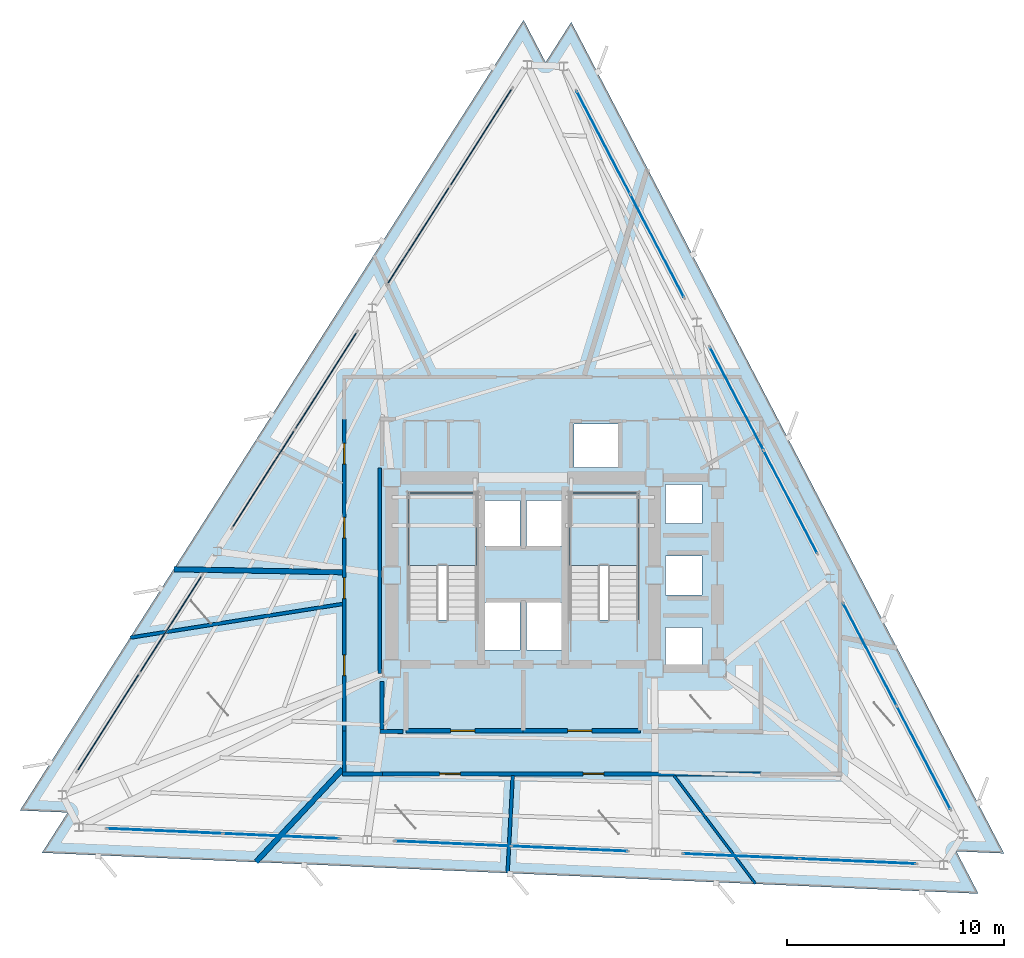
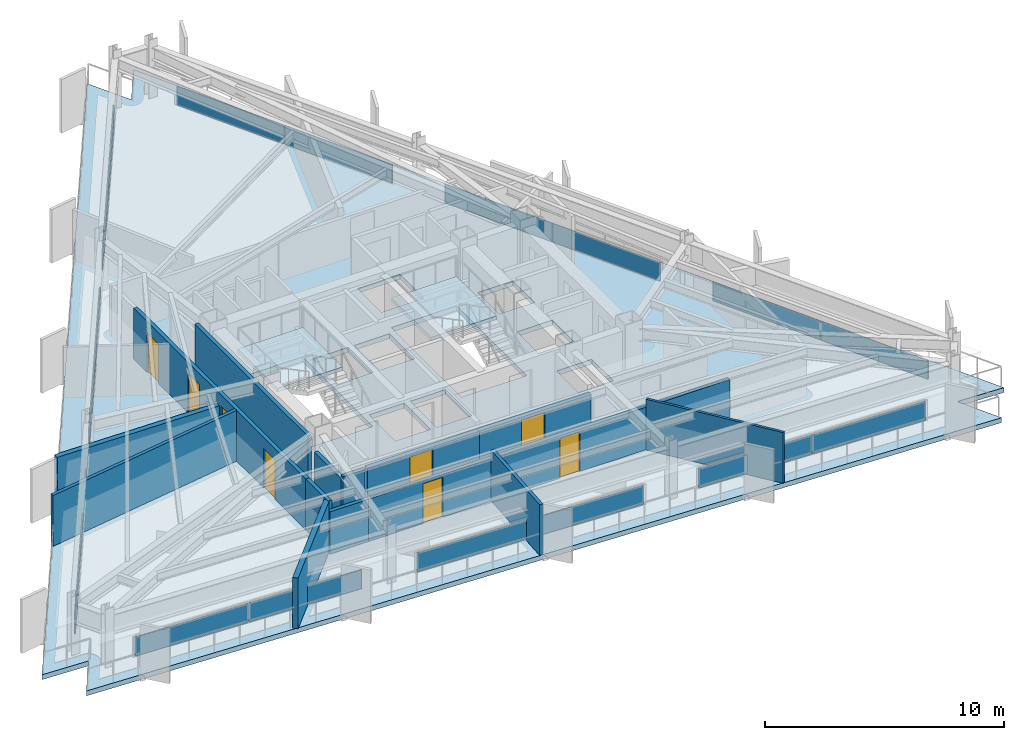
# One storey, part 7 of 12: 18 plates, 14 walls, 8 doors, 3 slabs, 8 openings, 11 elements without a shape of their own.
"""IFC4 building model written with IfcOpenShell, lengths in metres."""

from ifc_helpers import new_model, si_unit, direction, frame, frame_2d, origin, origin_2d, place, context, subcontext, project, spatial, polyline, rectangle, outline, extrude, material, layer, layer_set, type_object, element, fill, aggregate, save


model = new_model("IFC4")

# Units and contexts
model_context = context("Model", 3, precision=1e-05, world=origin(), true_north=direction((0.0, 1.0)))
body_context = subcontext(model_context, "Body", "Model", "MODEL_VIEW")
ifc_project = project(units=[si_unit("LENGTHUNIT", "METRE"), si_unit("AREAUNIT", "SQUARE_METRE"), si_unit("VOLUMEUNIT", "CUBIC_METRE"), si_unit("PLANEANGLEUNIT", "RADIAN"), si_unit("MASSUNIT", "GRAM", prefix="KILO")], contexts=[model_context])

# Site, building, storey
site_placement = place(None, origin())
site = spatial("IfcSite", under=ifc_project, at=site_placement, CompositionType="ELEMENT")
building_placement = place(site_placement, origin())
building = spatial("IfcBuilding", under=site, at=building_placement, Name="Rocaltana Carrier Exchange", CompositionType="ELEMENT")
storey_placement = place(building_placement, frame((0.0, 0.0, 144.159912109375)))
storey = spatial("IfcBuildingStorey", under=building, at=storey_placement, Name="L45", CompositionType="ELEMENT", Elevation=144.159912109375)

# Curtain wall, plates
ifc_material_1 = material(Name="Aluminium 6063-T6", Category="aluminium")
ifc_layer_1 = layer(ifc_material_1, 0.14990234375)
ifc_layer_set_1 = layer_set([ifc_layer_1], Name="Aluminium 6063-T6")
curtain_wall_type = type_object("IfcCurtainWallType", Name="Mid-Tower Unitised Curtain Wall CW-03", PredefinedType="NOTDEFINED", material=ifc_layer_set_1)
curtain_wall_1_placement = place(storey_placement, origin())
curtain_wall_1 = element("IfcCurtainWall", 1, at=curtain_wall_1_placement, inside=storey, type_object=curtain_wall_type, Name="L45 CW-03 Run CW-L45-F1S1", PredefinedType="NOTDEFINED")
ifc_material_2 = material(Name="Tempered Laminated Glass", Category="glass")
ifc_layer_2 = layer(ifc_material_2, 0.0400390625)
ifc_layer_set_2 = layer_set([ifc_layer_2], Name="Tempered Laminated Glass")
plate_type = type_object("IfcPlateType", Name="CW-03 Stone-Insulated Vision Panel", PredefinedType="CURTAIN_PANEL", material=ifc_layer_set_2)
plate_1_placement = place(storey_placement, frame((18.460693359375, -8.4111328125, 0.06005859375), z_axis=(0.0, 0.0, 1.0), x_axis=(-0.461750348962, 0.887009929614, 0.0)))
plate_1 = element("IfcPlate", 2, at=plate_1_placement, type_object=plate_type, Name="CW-03 panel 1.1", PredefinedType="CURTAIN_PANEL", context=body_context, shape_type="SweptSolid", body=[
    extrude(rectangle(XDim=5.31005859375, YDim=0.0400390625, at=origin_2d()), origin(), (0.0, 0.0, 1.0), 0.9580078125),
])
plate_2_placement = place(storey_placement, frame((15.98095703125, -3.64794921875, 0.06005859375), z_axis=(0.0, 0.0, 1.0), x_axis=(-0.461750348962, 0.887009929614, 0.0)))
plate_2 = element("IfcPlate", 3, at=plate_2_placement, type_object=plate_type, Name="CW-03 panel 2.1", PredefinedType="CURTAIN_PANEL", context=body_context, shape_type="SweptSolid", body=[
    extrude(rectangle(XDim=5.31005859375, YDim=0.0400390625, at=origin_2d()), origin(), (0.0, 0.0, 1.0), 0.9580078125),
])
aggregate(curtain_wall_1, [plate_1, plate_2])

curtain_wall_2_placement = place(storey_placement, origin())
curtain_wall_2 = element("IfcCurtainWall", 4, at=curtain_wall_2_placement, inside=storey, type_object=curtain_wall_type, Name="L45 CW-03 Run CW-L45-F1S2", PredefinedType="NOTDEFINED")
plate_3_placement = place(storey_placement, frame((12.3193359375, 3.385986328125, 0.06005859375), z_axis=(0.0, 0.0, 1.0), x_axis=(-0.461746856235, 0.887011747812, 0.0)))
plate_3 = element("IfcPlate", 5, at=plate_3_placement, type_object=plate_type, Name="CW-03 panel 1.1", PredefinedType="CURTAIN_PANEL", context=body_context, shape_type="SweptSolid", body=[
    extrude(rectangle(XDim=5.309814453125, YDim=0.0400390625, at=origin_2d()), origin(), (0.0, 0.0, 1.0), 0.9580078125),
])
plate_4_placement = place(storey_placement, frame((9.83984375, 8.1494140625, 0.06005859375), z_axis=(0.0, 0.0, 1.0), x_axis=(-0.461746856235, 0.887011747812, 0.0)))
plate_4 = element("IfcPlate", 6, at=plate_4_placement, type_object=plate_type, Name="CW-03 panel 2.1", PredefinedType="CURTAIN_PANEL", context=body_context, shape_type="SweptSolid", body=[
    extrude(rectangle(XDim=5.309814453125, YDim=0.0400390625, at=origin_2d()), origin(), (0.0, 0.0, 1.0), 0.9580078125),
])
aggregate(curtain_wall_2, [plate_3, plate_4])

curtain_wall_3_placement = place(storey_placement, origin())
curtain_wall_3 = element("IfcCurtainWall", 7, at=curtain_wall_3_placement, inside=storey, type_object=curtain_wall_type, Name="L45 CW-03 Run CW-L45-F1S3", PredefinedType="NOTDEFINED")
plate_5_placement = place(storey_placement, frame((6.17822265625, 15.183349609375, 0.06005859375), z_axis=(0.0, 0.0, 1.0), x_axis=(-0.461754141383, 0.887007955385, 0.0)))
plate_5 = element("IfcPlate", 8, at=plate_5_placement, type_object=plate_type, Name="CW-03 panel 1.1", PredefinedType="CURTAIN_PANEL", context=body_context, shape_type="SweptSolid", body=[
    extrude(rectangle(XDim=5.31005859375, YDim=0.0400390625, at=origin_2d()), origin(), (0.0, 0.0, 1.0), 0.9580078125),
])
plate_6_placement = place(storey_placement, frame((3.698486328125, 19.946533203125, 0.06005859375), z_axis=(0.0, 0.0, 1.0), x_axis=(-0.461754141383, 0.887007955385, 0.0)))
plate_6 = element("IfcPlate", 9, at=plate_6_placement, type_object=plate_type, Name="CW-03 panel 2.1", PredefinedType="CURTAIN_PANEL", context=body_context, shape_type="SweptSolid", body=[
    extrude(rectangle(XDim=5.31005859375, YDim=0.0400390625, at=origin_2d()), origin(), (0.0, 0.0, 1.0), 0.9580078125),
])
aggregate(curtain_wall_3, [plate_5, plate_6])

curtain_wall_4_placement = place(storey_placement, origin())
curtain_wall_4 = element("IfcCurtainWall", 10, at=curtain_wall_4_placement, inside=storey, type_object=curtain_wall_type, Name="L45 CW-03 Run CW-L45-F2S1", PredefinedType="NOTDEFINED")
plate_7_placement = place(storey_placement, frame((-1.946044921875, 20.19287109375, 0.06005859375), z_axis=(0.0, 0.0, 1.0), x_axis=(-0.537300801443, -0.843390685726, 0.0)))
plate_7 = element("IfcPlate", 11, at=plate_7_placement, type_object=plate_type, Name="CW-03 panel 1.1", PredefinedType="CURTAIN_PANEL", context=body_context, shape_type="SweptSolid", body=[
    extrude(rectangle(XDim=5.31005859375, YDim=0.0400390625, at=origin_2d()), origin(), (0.0, 0.0, 1.0), 0.9580078125),
])
plate_8_placement = place(storey_placement, frame((-4.831298828125, 15.663818359375, 0.06005859375), z_axis=(0.0, 0.0, 1.0), x_axis=(-0.537300801443, -0.843390685726, 0.0)))
plate_8 = element("IfcPlate", 12, at=plate_8_placement, type_object=plate_type, Name="CW-03 panel 2.1", PredefinedType="CURTAIN_PANEL", context=body_context, shape_type="SweptSolid", body=[
    extrude(rectangle(XDim=5.31005859375, YDim=0.0400390625, at=origin_2d()), origin(), (0.0, 0.0, 1.0), 0.9580078125),
])
aggregate(curtain_wall_4, [plate_7, plate_8])

curtain_wall_5_placement = place(storey_placement, origin())
curtain_wall_5 = element("IfcCurtainWall", 13, at=curtain_wall_5_placement, inside=storey, type_object=curtain_wall_type, Name="L45 CW-03 Run CW-L45-F2S2", PredefinedType="NOTDEFINED")
plate_9_placement = place(storey_placement, frame((-9.092041015625, 8.975830078125, 0.06005859375), z_axis=(0.0, 0.0, 1.0), x_axis=(-0.537300801443, -0.843390685726, 0.0)))
plate_9 = element("IfcPlate", 14, at=plate_9_placement, type_object=plate_type, Name="CW-03 panel 1.1", PredefinedType="CURTAIN_PANEL", context=body_context, shape_type="SweptSolid", body=[
    extrude(rectangle(XDim=5.31005859375, YDim=0.0400390625, at=origin_2d()), origin(), (0.0, 0.0, 1.0), 0.9580078125),
])
plate_10_placement = place(storey_placement, frame((-11.977294921875, 4.44677734375, 0.06005859375), z_axis=(0.0, 0.0, 1.0), x_axis=(-0.537300801443, -0.843390685726, 0.0)))
plate_10 = element("IfcPlate", 15, at=plate_10_placement, type_object=plate_type, Name="CW-03 panel 2.1", PredefinedType="CURTAIN_PANEL", context=body_context, shape_type="SweptSolid", body=[
    extrude(rectangle(XDim=5.31005859375, YDim=0.0400390625, at=origin_2d()), origin(), (0.0, 0.0, 1.0), 0.9580078125),
])
aggregate(curtain_wall_5, [plate_9, plate_10])

curtain_wall_6_placement = place(storey_placement, origin())
curtain_wall_6 = element("IfcCurtainWall", 16, at=curtain_wall_6_placement, inside=storey, type_object=curtain_wall_type, Name="L45 CW-03 Run CW-L45-F2S3", PredefinedType="NOTDEFINED")
plate_11_placement = place(storey_placement, frame((-16.23828125, -2.2412109375, 0.06005859375), z_axis=(0.0, 0.0, 1.0), x_axis=(-0.537300801443, -0.843390685726, 0.0)))
plate_11 = element("IfcPlate", 17, at=plate_11_placement, type_object=plate_type, Name="CW-03 panel 1.1", PredefinedType="CURTAIN_PANEL", context=body_context, shape_type="SweptSolid", body=[
    extrude(rectangle(XDim=5.31005859375, YDim=0.0400390625, at=origin_2d()), origin(), (0.0, 0.0, 1.0), 0.9580078125),
])
plate_12_placement = place(storey_placement, frame((-19.12353515625, -6.770263671875, 0.06005859375), z_axis=(0.0, 0.0, 1.0), x_axis=(-0.537300801443, -0.843390685726, 0.0)))
plate_12 = element("IfcPlate", 18, at=plate_12_placement, type_object=plate_type, Name="CW-03 panel 2.1", PredefinedType="CURTAIN_PANEL", context=body_context, shape_type="SweptSolid", body=[
    extrude(rectangle(XDim=5.31005859375, YDim=0.0400390625, at=origin_2d()), origin(), (0.0, 0.0, 1.0), 0.9580078125),
])
aggregate(curtain_wall_6, [plate_11, plate_12])

curtain_wall_7_placement = place(storey_placement, origin())
curtain_wall_7 = element("IfcCurtainWall", 19, at=curtain_wall_7_placement, inside=storey, type_object=curtain_wall_type, Name="L45 CW-03 Run CW-L45-F3S1", PredefinedType="NOTDEFINED")
plate_13_placement = place(storey_placement, frame((-16.5146484375, -11.78173828125, 0.06005859375), z_axis=(0.0, 0.0, 1.0), x_axis=(0.999047789154, -0.043629290456, 0.0)))
plate_13 = element("IfcPlate", 20, at=plate_13_placement, type_object=plate_type, Name="CW-03 panel 1.1", PredefinedType="CURTAIN_PANEL", context=body_context, shape_type="SweptSolid", body=[
    extrude(rectangle(XDim=5.31005859375, YDim=0.0400390625, at=origin_2d()), origin(), (0.0, 0.0, 1.0), 0.9580078125),
])
plate_14_placement = place(storey_placement, frame((-11.149658203125, -12.01611328125, 0.06005859375), z_axis=(0.0, 0.0, 1.0), x_axis=(0.999047789154, -0.043629290456, 0.0)))
plate_14 = element("IfcPlate", 21, at=plate_14_placement, type_object=plate_type, Name="CW-03 panel 2.1", PredefinedType="CURTAIN_PANEL", context=body_context, shape_type="SweptSolid", body=[
    extrude(rectangle(XDim=5.31005859375, YDim=0.0400390625, at=origin_2d()), origin(), (0.0, 0.0, 1.0), 0.9580078125),
])
aggregate(curtain_wall_7, [plate_13, plate_14])

curtain_wall_8_placement = place(storey_placement, origin())
curtain_wall_8 = element("IfcCurtainWall", 22, at=curtain_wall_8_placement, inside=storey, type_object=curtain_wall_type, Name="L45 CW-03 Run CW-L45-F3S2", PredefinedType="NOTDEFINED")
plate_15_placement = place(storey_placement, frame((-3.227294921875, -12.36181640625, 0.06005859375), z_axis=(0.0, 0.0, 1.0), x_axis=(0.999048175081, -0.043620452398, 0.0)))
plate_15 = element("IfcPlate", 23, at=plate_15_placement, type_object=plate_type, Name="CW-03 panel 1.1", PredefinedType="CURTAIN_PANEL", context=body_context, shape_type="SweptSolid", body=[
    extrude(rectangle(XDim=5.31005859375, YDim=0.0400390625, at=origin_2d()), origin(), (0.0, 0.0, 1.0), 0.9580078125),
])
plate_16_placement = place(storey_placement, frame((2.1376953125, -12.59619140625, 0.06005859375), z_axis=(0.0, 0.0, 1.0), x_axis=(0.999048175081, -0.043620452398, 0.0)))
plate_16 = element("IfcPlate", 24, at=plate_16_placement, type_object=plate_type, Name="CW-03 panel 2.1", PredefinedType="CURTAIN_PANEL", context=body_context, shape_type="SweptSolid", body=[
    extrude(rectangle(XDim=5.31005859375, YDim=0.0400390625, at=origin_2d()), origin(), (0.0, 0.0, 1.0), 0.9580078125),
])
aggregate(curtain_wall_8, [plate_15, plate_16])

curtain_wall_9_placement = place(storey_placement, origin())
curtain_wall_9 = element("IfcCurtainWall", 25, at=curtain_wall_9_placement, inside=storey, type_object=curtain_wall_type, Name="L45 CW-03 Run CW-L45-F3S3", PredefinedType="NOTDEFINED")
plate_17_placement = place(storey_placement, frame((10.06005859375, -12.942138671875, 0.06005859375), z_axis=(0.0, 0.0, 1.0), x_axis=(0.999047789154, -0.043629290456, 0.0)))
plate_17 = element("IfcPlate", 26, at=plate_17_placement, type_object=plate_type, Name="CW-03 panel 1.1", PredefinedType="CURTAIN_PANEL", context=body_context, shape_type="SweptSolid", body=[
    extrude(rectangle(XDim=5.31005859375, YDim=0.0400390625, at=origin_2d()), origin(), (0.0, 0.0, 1.0), 0.9580078125),
])
plate_18_placement = place(storey_placement, frame((15.425048828125, -13.17626953125, 0.06005859375), z_axis=(0.0, 0.0, 1.0), x_axis=(0.999047789154, -0.043629290456, 0.0)))
plate_18 = element("IfcPlate", 27, at=plate_18_placement, type_object=plate_type, Name="CW-03 panel 2.1", PredefinedType="CURTAIN_PANEL", context=body_context, shape_type="SweptSolid", body=[
    extrude(rectangle(XDim=5.31005859375, YDim=0.0400390625, at=origin_2d()), origin(), (0.0, 0.0, 1.0), 0.9580078125),
])
aggregate(curtain_wall_9, [plate_17, plate_18])

# Slab
ifc_material_3 = material(Name="Concrete C50/60", Category="concrete")
ifc_layer_3 = layer(ifc_material_3, 0.25)
ifc_layer_set_3 = layer_set([ifc_layer_3], Name="Concrete C50/60")
slab_type_1 = type_object("IfcSlabType", Name="Mid-Zone Tower Slab 250", PredefinedType="FLOOR", material=ifc_layer_set_3)
slab_1_placement = place(storey_placement, frame((0.0, 0.0, -0.25)))
element("IfcSlab", 28, at=slab_1_placement, inside=storey, type_object=slab_type_1, Name="L45 Structural Floor Slab", PredefinedType="FLOOR", context=body_context, shape_type="SweptSolid", body=[
    extrude(outline(polyline([(20.97998046875, -14.669921875), (19.964111328125, -12.718505859375), (22.162109375, -12.814697265625), (2.214599609375, 25.50439453125), (1.032470703125, 23.648681640625), (0.0166015625, 25.600341796875), (-23.194580078125, -10.834228515625), (-20.996826171875, -10.93017578125), (-22.1787109375, -12.78564453125), (20.97998046875, -14.669921875)]), holes=[polyline([(-5.300048828125, -2.06005859375), (-2.139892578125, -2.06005859375), (-2.139892578125, 3.800048828125), (-5.300048828125, 3.800048828125), (-5.300048828125, -2.06005859375)]), polyline([(2.139892578125, -2.06005859375), (5.300048828125, -2.06005859375), (5.300048828125, 3.800048828125), (2.139892578125, 3.800048828125), (2.139892578125, -2.06005859375)]), polyline([(-1.85009765625, -3.449951171875), (-0.14990234375, -3.449951171875), (-0.14990234375, -1.25), (-1.85009765625, -1.25), (-1.85009765625, -3.449951171875)]), polyline([(0.14990234375, -3.449951171875), (1.85009765625, -3.449951171875), (1.85009765625, -1.25), (0.14990234375, -1.25), (0.14990234375, -3.449951171875)]), polyline([(2.35009765625, 4.97998046875), (4.39990234375, 4.97998046875), (4.39990234375, 6.97998046875), (2.35009765625, 6.97998046875), (2.35009765625, 4.97998046875)]), polyline([(-1.85009765625, 1.35009765625), (-0.14990234375, 1.35009765625), (-0.14990234375, 3.449951171875), (-1.85009765625, 3.449951171875), (-1.85009765625, 1.35009765625)]), polyline([(0.14990234375, 1.35009765625), (1.85009765625, 1.35009765625), (1.85009765625, 3.449951171875), (0.14990234375, 3.449951171875), (0.14990234375, 1.35009765625)]), polyline([(6.550048828125, -4.199951171875), (8.25, -4.199951171875), (8.25, -2.39990234375), (6.550048828125, -2.39990234375), (6.550048828125, -4.199951171875)]), polyline([(6.550048828125, -0.89990234375), (8.25, -0.89990234375), (8.25, 0.89990234375), (6.550048828125, 0.89990234375), (6.550048828125, -0.89990234375)]), polyline([(6.550048828125, 2.39990234375), (8.25, 2.39990234375), (8.25, 4.199951171875), (6.550048828125, 4.199951171875), (6.550048828125, 2.39990234375)])]), origin(), (0.0, 0.0, 1.0), 0.25),
])

# Stair, slab
ifc_material_4 = material(Name="Precast concrete C45/55", Category="concrete")
stair_type = type_object("IfcStairType", Name="Standard Dog-Leg Stair 160", PredefinedType="HALF_TURN_STAIR", material=ifc_material_4)
stair_1_placement = place(storey_placement, origin())
stair_1 = element("IfcStair", 29, at=stair_1_placement, inside=storey, type_object=stair_type, Name="L45 Core West Exit Stair ST-1", PredefinedType="HALF_TURN_STAIR")
ifc_material_5 = material(Name="Precast concrete C45/55", Category="concrete")
ifc_layer_4 = layer(ifc_material_5, 0.199951171875)
ifc_layer_set_4 = layer_set([ifc_layer_4], Name="Precast concrete C45/55")
slab_type_2 = type_object("IfcSlabType", Name="Precast Stair Half-Landing 200", PredefinedType="LANDING", material=ifc_layer_set_4)
slab_2_placement = place(storey_placement, frame((0.0, 0.0, 1.320068359375)))
slab_2 = element("IfcSlab", 30, at=slab_2_placement, type_object=slab_type_2, Name="ST-1 landing 1", PredefinedType="LANDING", context=body_context, shape_type="SweptSolid", body=[
    extrude(outline(polyline([(-2.139892578125, 0.4599609375), (-2.139892578125, 3.800048828125), (-5.300048828125, 3.800048828125), (-5.300048828125, 0.4599609375), (-2.139892578125, 0.4599609375)])), origin(), (0.0, 0.0, 1.0), 0.199951171875),
])
aggregate(stair_1, [slab_2])

stair_2_placement = place(storey_placement, origin())
stair_2 = element("IfcStair", 31, at=stair_2_placement, inside=storey, type_object=stair_type, Name="L45 Core East Exit Stair ST-2", PredefinedType="HALF_TURN_STAIR")
slab_3_placement = place(storey_placement, frame((0.0, 0.0, 1.320068359375)))
slab_3 = element("IfcSlab", 32, at=slab_3_placement, type_object=slab_type_2, Name="ST-2 landing 1", PredefinedType="LANDING", context=body_context, shape_type="SweptSolid", body=[
    extrude(outline(polyline([(5.300048828125, 0.4599609375), (5.300048828125, 3.800048828125), (2.139892578125, 3.800048828125), (2.139892578125, 0.4599609375), (5.300048828125, 0.4599609375)])), origin(), (0.0, 0.0, 1.0), 0.199951171875),
])
aggregate(stair_2, [slab_3])

# Walls
ifc_material_6 = material(Name="Double Acoustic Gypsum Partition", Category="gypsum")
ifc_layer_5 = layer(ifc_material_6, 0.159912109375)
ifc_layer_set_5 = layer_set([ifc_layer_5], Name="Double Acoustic Gypsum Partition")
wall_type_1 = type_object("IfcWallType", Name="Acoustic Studio Partition 160 EI60", PredefinedType="PARTITIONING", material=ifc_layer_set_5)
wall_1_placement = place(storey_placement, frame((-8.330078125, -1.3193359375, 0.0), z_axis=(0.0, 0.0, 1.0), x_axis=(-0.987688868154, -0.156431134128, 0.0)))
element("IfcWall", 33, at=wall_1_placement, inside=storey, type_object=wall_type_1, Name="L45 Suite Divider Wall D1", PredefinedType="PARTITIONING", context=body_context, shape_type="SweptSolid", body=[
    extrude(rectangle(XDim=9.8994140625, YDim=0.159912109375, at=frame_2d((4.94970703125, 0.0))), origin(), (0.0, 0.0, 1.0), 2.593017578125),
])
wall_2_placement = place(storey_placement, frame((-0.483642578125, -9.22998046875, 0.0), z_axis=(0.0, 0.0, 1.0), x_axis=(-0.052321895389, -0.998630271553, 0.0)))
element("IfcWall", 34, at=wall_2_placement, inside=storey, type_object=wall_type_1, Name="L45 Suite Divider Wall D4", PredefinedType="PARTITIONING", context=body_context, shape_type="SweptSolid", body=[
    extrude(rectangle(XDim=4.48876953125, YDim=0.159912109375, at=frame_2d((2.244384765625, 0.0))), origin(), (0.0, 0.0, 1.0), 2.593017578125),
])
ifc_material_7 = material(Name="Gypsum & Steel Stud Partition", Category="steel")
ifc_layer_6 = layer(ifc_material_7, 0.179931640625)
ifc_layer_set_6 = layer_set([ifc_layer_6], Name="Gypsum & Steel Stud Partition")
wall_type_2 = type_object("IfcWallType", Name="Corridor Fire Partition 180 EI60", PredefinedType="PARTITIONING", material=ifc_layer_set_6)
wall_3_placement = place(storey_placement, frame((-6.47998046875, -9.14990234375, 0.0), z_axis=(0.0, 0.0, 1.0), x_axis=(-1.0, 0.0, 0.0)))
element("IfcWall", 35, at=wall_3_placement, inside=storey, type_object=wall_type_2, Name="L45 Corridor Partition 1", PredefinedType="PARTITIONING", context=body_context, shape_type="SweptSolid", body=[
    extrude(rectangle(XDim=1.860107421875, YDim=0.179931640625, at=frame_2d((0.93017578125, 0.0))), origin(), (0.0, 0.0, 1.0), 2.16015625),
])
wall_4_placement = place(storey_placement, frame((-8.25, -9.06005859375, 0.0), z_axis=(0.0, 0.0, 1.0), x_axis=(0.0, 1.0, 0.0)))
element("IfcWall", 36, at=wall_4_placement, inside=storey, type_object=wall_type_2, Name="L45 Corridor Partition 2", PredefinedType="PARTITIONING", context=body_context, shape_type="SweptSolid", body=[
    extrude(rectangle(XDim=1.880126953125, YDim=0.179931640625, at=frame_2d((0.93994140625, 0.0))), origin(), (0.0, 0.0, 1.0), 2.593017578125),
])

# Wall, openings, doors
wall_5_placement = place(storey_placement, frame((-8.25, -7.219970703125, 0.0), z_axis=(0.0, 0.0, 1.0), x_axis=(0.0, 1.0, 0.0)))
wall_5 = element("IfcWall", 37, at=wall_5_placement, inside=storey, type_object=wall_type_2, Name="L45 Corridor Partition 3", PredefinedType="PARTITIONING", context=body_context, shape_type="SweptSolid", body=[
    extrude(rectangle(XDim=14.43994140625, YDim=0.179931640625, at=frame_2d((7.219970703125, 0.0))), origin(), (0.0, 0.0, 1.0), 2.593017578125),
])
opening_1_placement = place(wall_5_placement, frame((6.153564453125, 0.0, 0.0)))
opening_1 = element("IfcOpeningElement", 38, at=opening_1_placement, cuts=wall_5, Name="Opening D-RM098", PredefinedType="OPENING", context=body_context, shape_type="SweptSolid", body=[
    extrude(rectangle(XDim=0.9599609375, YDim=2.02001953125, at=frame_2d((0.47998046875, 1.010009765625))), frame((0.0, 0.099853515625, 0.0), z_axis=(0.0, -1.0, 0.0), x_axis=(1.0, 0.0, 0.0)), (0.0, 0.0, 1.0), 0.199951171875),
])
opening_2_placement = place(wall_5_placement, frame((2.60009765625, 0.0, 0.0)))
opening_2 = element("IfcOpeningElement", 39, at=opening_2_placement, cuts=wall_5, Name="Opening D-RM098", PredefinedType="OPENING", context=body_context, shape_type="SweptSolid", body=[
    extrude(rectangle(XDim=0.9599609375, YDim=2.02001953125, at=frame_2d((0.47998046875, 1.010009765625))), frame((0.0, 0.099853515625, 0.0), z_axis=(0.0, -1.0, 0.0), x_axis=(1.0, 0.0, 0.0)), (0.0, 0.0, 1.0), 0.199951171875),
])
opening_3_placement = place(wall_5_placement, frame((12.3466796875, 0.0, 0.0)))
opening_3 = element("IfcOpeningElement", 40, at=opening_3_placement, cuts=wall_5, Name="Opening D-RM098", PredefinedType="OPENING", context=body_context, shape_type="SweptSolid", body=[
    extrude(rectangle(XDim=0.9599609375, YDim=2.02001953125, at=frame_2d((0.47998046875, 1.010009765625))), frame((0.0, 0.099853515625, 0.0), z_axis=(0.0, -1.0, 0.0), x_axis=(1.0, 0.0, 0.0)), (0.0, 0.0, 1.0), 0.199951171875),
])
opening_4_placement = place(wall_5_placement, frame((8.935791015625, 0.0, 0.0)))
opening_4 = element("IfcOpeningElement", 41, at=opening_4_placement, cuts=wall_5, Name="Opening D-RM098", PredefinedType="OPENING", context=body_context, shape_type="SweptSolid", body=[
    extrude(rectangle(XDim=0.9599609375, YDim=2.02001953125, at=frame_2d((0.47998046875, 1.010009765625))), frame((0.0, 0.099853515625, 0.0), z_axis=(0.0, -1.0, 0.0), x_axis=(1.0, 0.0, 0.0)), (0.0, 0.0, 1.0), 0.199951171875),
])
ifc_material_8 = material(Name="Engineered Hardwood Timber", Category="wood")
door_type_1 = type_object("IfcDoorType", Name="Workspace Single Door 960x2020", OperationType="NOTDEFINED", PredefinedType="DOOR", material=ifc_material_8)
door_1_placement = place(opening_1_placement, origin())
door_1 = element("IfcDoor", 42, at=door_1_placement, inside=storey, type_object=door_type_1, Name="L45 Client Reception Foyer Entrance Door", OperationType="SINGLE_SWING_RIGHT", OverallHeight=2.02001953125, OverallWidth=0.9599609375, PredefinedType="DOOR", context=body_context, shape_type="SweptSolid", body=[
    extrude(rectangle(XDim=0.9599609375, YDim=2.02001953125, at=frame_2d((0.47998046875, 1.010009765625))), frame((0.0, 0.02490234375, 0.0), z_axis=(0.0, -1.0, 0.0), x_axis=(1.0, 0.0, 0.0)), (0.0, 0.0, 1.0), 0.050048828125),
])
fill(opening_1, door_1)
door_2_placement = place(opening_2_placement, origin())
door_2 = element("IfcDoor", 43, at=door_2_placement, inside=storey, type_object=door_type_1, Name="L45 Staff Break Pantry Entrance Door", OperationType="SINGLE_SWING_LEFT", OverallHeight=2.02001953125, OverallWidth=0.9599609375, PredefinedType="DOOR", context=body_context, shape_type="SweptSolid", body=[
    extrude(rectangle(XDim=0.9599609375, YDim=2.02001953125, at=frame_2d((0.47998046875, 1.010009765625))), frame((0.0, 0.02490234375, 0.0), z_axis=(0.0, -1.0, 0.0), x_axis=(1.0, 0.0, 0.0)), (0.0, 0.0, 1.0), 0.050048828125),
])
fill(opening_2, door_2)
door_3_placement = place(opening_3_placement, origin())
door_3 = element("IfcDoor", 44, at=door_3_placement, inside=storey, type_object=door_type_1, Name="L45 Client Reception Foyer Entrance Door", OperationType="SINGLE_SWING_RIGHT", OverallHeight=2.02001953125, OverallWidth=0.9599609375, PredefinedType="DOOR", context=body_context, shape_type="SweptSolid", body=[
    extrude(rectangle(XDim=0.9599609375, YDim=2.02001953125, at=frame_2d((0.47998046875, 1.010009765625))), frame((0.0, 0.02490234375, 0.0), z_axis=(0.0, -1.0, 0.0), x_axis=(1.0, 0.0, 0.0)), (0.0, 0.0, 1.0), 0.050048828125),
])
fill(opening_3, door_3)
door_4_placement = place(opening_4_placement, origin())
door_4 = element("IfcDoor", 45, at=door_4_placement, inside=storey, type_object=door_type_1, Name="L45 Staff Break Pantry Entrance Door", OperationType="SINGLE_SWING_LEFT", OverallHeight=2.02001953125, OverallWidth=0.9599609375, PredefinedType="DOOR", context=body_context, shape_type="SweptSolid", body=[
    extrude(rectangle(XDim=0.9599609375, YDim=2.02001953125, at=frame_2d((0.47998046875, 1.010009765625))), frame((0.0, 0.02490234375, 0.0), z_axis=(0.0, -1.0, 0.0), x_axis=(1.0, 0.0, 0.0)), (0.0, 0.0, 1.0), 0.050048828125),
])
fill(opening_4, door_4)

wall_6_placement = place(storey_placement, frame((10.97998046875, -9.14990234375, 0.0), z_axis=(0.0, 0.0, 1.0), x_axis=(-1.0, 0.0, 0.0)))
wall_6 = element("IfcWall", 46, at=wall_6_placement, inside=storey, type_object=wall_type_2, Name="L45 Corridor Partition 11", PredefinedType="PARTITIONING", context=body_context, shape_type="SweptSolid", body=[
    extrude(rectangle(XDim=17.5, YDim=0.179931640625, at=frame_2d((8.75, 0.0))), origin(), (0.0, 0.0, 1.0), 2.16015625),
])
opening_5_placement = place(wall_6_placement, frame((13.87158203125, 0.0, 0.0)))
opening_5 = element("IfcOpeningElement", 47, at=opening_5_placement, cuts=wall_6, Name="Opening D-RM098", PredefinedType="OPENING", context=body_context, shape_type="SweptSolid", body=[
    extrude(rectangle(XDim=0.9599609375, YDim=2.02001953125, at=frame_2d((0.47998046875, 1.010009765625))), frame((0.0, 0.099853515625, 0.0), z_axis=(0.0, -1.0, 0.0), x_axis=(1.0, 0.0, 0.0)), (0.0, 0.0, 1.0), 0.199951171875),
])
opening_6_placement = place(wall_6_placement, frame((7.255615234375, 0.0, 0.0)))
opening_6 = element("IfcOpeningElement", 48, at=opening_6_placement, cuts=wall_6, Name="Opening D-RM098", PredefinedType="OPENING", context=body_context, shape_type="SweptSolid", body=[
    extrude(rectangle(XDim=0.9599609375, YDim=2.02001953125, at=frame_2d((0.47998046875, 1.010009765625))), frame((0.0, 0.099853515625, 0.0), z_axis=(0.0, -1.0, 0.0), x_axis=(1.0, 0.0, 0.0)), (0.0, 0.0, 1.0), 0.199951171875),
])
door_5_placement = place(opening_5_placement, origin())
door_5 = element("IfcDoor", 49, at=door_5_placement, inside=storey, type_object=door_type_1, Name="L45 Client Reception Foyer Entrance Door", OperationType="SINGLE_SWING_RIGHT", OverallHeight=2.02001953125, OverallWidth=0.9599609375, PredefinedType="DOOR", context=body_context, shape_type="SweptSolid", body=[
    extrude(rectangle(XDim=0.9599609375, YDim=2.02001953125, at=frame_2d((0.47998046875, 1.010009765625))), frame((0.0, 0.02490234375, 0.0), z_axis=(0.0, -1.0, 0.0), x_axis=(1.0, 0.0, 0.0)), (0.0, 0.0, 1.0), 0.050048828125),
])
fill(opening_5, door_5)
door_6_placement = place(opening_6_placement, origin())
door_6 = element("IfcDoor", 50, at=door_6_placement, inside=storey, type_object=door_type_1, Name="L45 Cloud Architecture Office Entrance Door", OperationType="SINGLE_SWING_LEFT", OverallHeight=2.02001953125, OverallWidth=0.9599609375, PredefinedType="DOOR", context=body_context, shape_type="SweptSolid", body=[
    extrude(rectangle(XDim=0.9599609375, YDim=2.02001953125, at=frame_2d((0.47998046875, 1.010009765625))), frame((0.0, 0.02490234375, 0.0), z_axis=(0.0, -1.0, 0.0), x_axis=(1.0, 0.0, 0.0)), (0.0, 0.0, 1.0), 0.050048828125),
])
fill(opening_6, door_6)

# Walls
wall_7_placement = place(storey_placement, frame((-6.610107421875, 4.93994140625, 0.0), z_axis=(0.0, 0.0, 1.0), x_axis=(0.0, -1.0, 0.0)))
element("IfcWall", 51, at=wall_7_placement, inside=storey, type_object=wall_type_2, Name="L45 Corridor Partition 18", PredefinedType="PARTITIONING", context=body_context, shape_type="SweptSolid", body=[
    extrude(rectangle(XDim=9.4599609375, YDim=0.179931640625, at=frame_2d((4.72998046875, 0.0))), origin(), (0.0, 0.0, 1.0), 2.593017578125),
])
wall_8_placement = place(storey_placement, frame((-6.5, -4.8798828125, 0.0), z_axis=(0.0, 0.0, 1.0), x_axis=(0.0, -1.0, 0.0)))
element("IfcWall", 52, at=wall_8_placement, inside=storey, type_object=wall_type_2, Name="L45 Corridor Partition 19", PredefinedType="PARTITIONING", context=body_context, shape_type="SweptSolid", body=[
    extrude(rectangle(XDim=2.230224609375, YDim=0.179931640625, at=frame_2d((1.115234375, 0.0))), origin(), (0.0, 0.0, 1.0), 1.962158203125),
])
wall_9_placement = place(storey_placement, frame((-6.590087890625, -7.199951171875, 0.0), z_axis=(0.0, 0.0, 1.0), x_axis=(1.0, 0.0, 0.0)))
element("IfcWall", 53, at=wall_9_placement, inside=storey, type_object=wall_type_2, Name="L45 Corridor Partition 20", PredefinedType="PARTITIONING", context=body_context, shape_type="SweptSolid", body=[
    extrude(rectangle(XDim=1.06005859375, YDim=0.179931640625, at=frame_2d((0.530029296875, 0.0))), origin(), (0.0, 0.0, 1.0), 2.16015625),
])
ifc_material_9 = material(Name="Aluminium 6063-T6 & Acoustic Glass", Category="aluminium")
ifc_layer_7 = layer(ifc_material_9, 0.114990234375)
ifc_layer_set_7 = layer_set([ifc_layer_7], Name="Aluminium 6063-T6 & Acoustic Glass")
wall_type_3 = type_object("IfcWallType", Name="Demountable Glazed Lab Partition 115", PredefinedType="MOVABLE", material=ifc_layer_set_7)
wall_10_placement = place(storey_placement, frame((6.955322265625, -9.22998046875, 0.0), z_axis=(0.0, 0.0, 1.0), x_axis=(0.60180827309, -0.79864059654, 0.0)))
element("IfcWall", 54, at=wall_10_placement, inside=storey, type_object=wall_type_3, Name="L45 Suite Divider Wall D5", PredefinedType="MOVABLE", context=body_context, shape_type="SweptSolid", body=[
    extrude(rectangle(XDim=6.23779296875, YDim=0.114990234375, at=frame_2d((3.118896484375, 0.0))), origin(), (0.0, 0.0, 1.0), 2.593017578125),
])

# Wall, opening, door
ifc_material_10 = material(Name="Autoclaved Aerated Concrete C30/37", Category="concrete")
ifc_layer_8 = layer(ifc_material_10, 0.219970703125)
ifc_layer_set_8 = layer_set([ifc_layer_8], Name="Autoclaved Aerated Concrete C30/37")
wall_type_4 = type_object("IfcWallType", Name="Firefighting Lobby Wall 220 EI120", PredefinedType="PARTITIONING", material=ifc_layer_set_8)
wall_11_placement = place(storey_placement, frame((-5.39990234375, -7.159912109375, 0.0), z_axis=(0.0, 0.0, 1.0), x_axis=(1.0, 0.0, 0.0)))
wall_11 = element("IfcWall", 55, at=wall_11_placement, inside=storey, type_object=wall_type_4, Name="L45 FFL Lobby 1 South Wall", PredefinedType="PARTITIONING", context=body_context, shape_type="SweptSolid", body=[
    extrude(rectangle(XDim=5.39990234375, YDim=0.219970703125, at=frame_2d((2.699951171875, 0.0))), origin(), (0.0, 0.0, 1.0), 2.16015625),
])
opening_7_placement = place(wall_11_placement, frame((2.050048828125, 0.0, 0.0)))
opening_7 = element("IfcOpeningElement", 56, at=opening_7_placement, cuts=wall_11, Name="Opening D-FF115", PredefinedType="OPENING", context=body_context, shape_type="SweptSolid", body=[
    extrude(rectangle(XDim=1.1201171875, YDim=2.02001953125, at=frame_2d((0.56005859375, 1.010009765625))), frame((0.0, 0.119873046875, 0.0), z_axis=(0.0, -1.0, 0.0), x_axis=(1.0, 0.0, 0.0)), (0.0, 0.0, 1.0), 0.239990234375),
])
ifc_material_11 = material(Name="Hollow Metal Fire Door Assembly", Category="steel")
door_type_2 = type_object("IfcDoorType", Name="Firefighting Lobby Door 1120x2020 FD60S", OperationType="NOTDEFINED", PredefinedType="DOOR", material=ifc_material_11)
door_7_placement = place(opening_7_placement, origin())
door_7 = element("IfcDoor", 57, at=door_7_placement, inside=storey, type_object=door_type_2, Name="L45 Firefighting Lift Lobby 1 Door", OperationType="SINGLE_SWING_RIGHT", OverallHeight=2.02001953125, OverallWidth=1.1201171875, PredefinedType="DOOR", context=body_context, shape_type="SweptSolid", body=[
    extrude(rectangle(XDim=1.1201171875, YDim=2.02001953125, at=frame_2d((0.56005859375, 1.010009765625))), frame((0.0, 0.02490234375, 0.0), z_axis=(0.0, -1.0, 0.0), x_axis=(1.0, 0.0, 0.0)), (0.0, 0.0, 1.0), 0.050048828125),
])
fill(opening_7, door_7)

wall_12_placement = place(storey_placement, frame((0.0, -7.159912109375, 0.0), z_axis=(0.0, 0.0, 1.0), x_axis=(1.0, 0.0, 0.0)))
wall_12 = element("IfcWall", 58, at=wall_12_placement, inside=storey, type_object=wall_type_4, Name="L45 FFL Lobby 2 South Wall", PredefinedType="PARTITIONING", context=body_context, shape_type="SweptSolid", body=[
    extrude(rectangle(XDim=5.39990234375, YDim=0.219970703125, at=frame_2d((2.699951171875, 0.0))), origin(), (0.0, 0.0, 1.0), 2.16015625),
])
opening_8_placement = place(wall_12_placement, frame((2.050048828125, 0.0, 0.0)))
opening_8 = element("IfcOpeningElement", 59, at=opening_8_placement, cuts=wall_12, Name="Opening D-FF115", PredefinedType="OPENING", context=body_context, shape_type="SweptSolid", body=[
    extrude(rectangle(XDim=1.1201171875, YDim=2.02001953125, at=frame_2d((0.56005859375, 1.010009765625))), frame((0.0, 0.119873046875, 0.0), z_axis=(0.0, -1.0, 0.0), x_axis=(1.0, 0.0, 0.0)), (0.0, 0.0, 1.0), 0.239990234375),
])
door_8_placement = place(opening_8_placement, origin())
door_8 = element("IfcDoor", 60, at=door_8_placement, inside=storey, type_object=door_type_2, Name="L45 Firefighting Lift Lobby 2 Door", OperationType="SINGLE_SWING_LEFT", OverallHeight=2.02001953125, OverallWidth=1.1201171875, PredefinedType="DOOR", context=body_context, shape_type="SweptSolid", body=[
    extrude(rectangle(XDim=1.1201171875, YDim=2.02001953125, at=frame_2d((0.56005859375, 1.010009765625))), frame((0.0, 0.02490234375, 0.0), z_axis=(0.0, -1.0, 0.0), x_axis=(1.0, 0.0, 0.0)), (0.0, 0.0, 1.0), 0.050048828125),
])
fill(opening_8, door_8)

# Walls
ifc_material_12 = material(Name="Acoustic Calcium Silicate Partition", Category="gypsum")
ifc_layer_9 = layer(ifc_material_12, 0.239990234375)
ifc_layer_set_9 = layer_set([ifc_layer_9], Name="Acoustic Calcium Silicate Partition")
wall_type_5 = type_object("IfcWallType", Name="Heavy Lab Partition 240 EI90", PredefinedType="PARTITIONING", material=ifc_layer_set_9)
wall_13_placement = place(storey_placement, frame((-8.330078125, -8.932861328125, 0.0), z_axis=(0.0, 0.0, 1.0), x_axis=(-0.682004079658, -0.731348367968, 0.0)))
element("IfcWall", 61, at=wall_13_placement, inside=storey, type_object=wall_type_5, Name="L45 Suite Divider Wall D3", PredefinedType="PARTITIONING", context=body_context, shape_type="SweptSolid", body=[
    extrude(rectangle(XDim=5.84326171875, YDim=0.239990234375, at=frame_2d((2.921630859375, 0.0))), origin(), (0.0, 0.0, 1.0), 2.593017578125),
])
wall_14_placement = place(storey_placement, frame((-8.330078125, 0.1455078125, 0.0), z_axis=(0.0, 0.0, 1.0), x_axis=(-0.999848040059, 0.017432635783, 0.0)))
element("IfcWall", 62, at=wall_14_placement, inside=storey, type_object=wall_type_5, Name="L45 Suite Divider Wall D12", PredefinedType="PARTITIONING", context=body_context, shape_type="SweptSolid", body=[
    extrude(rectangle(XDim=7.772705078125, YDim=0.239990234375, at=frame_2d((3.88623046875, 0.0))), origin(), (0.0, 0.0, 1.0), 1.962158203125),
])

save(model, "model.ifc")
